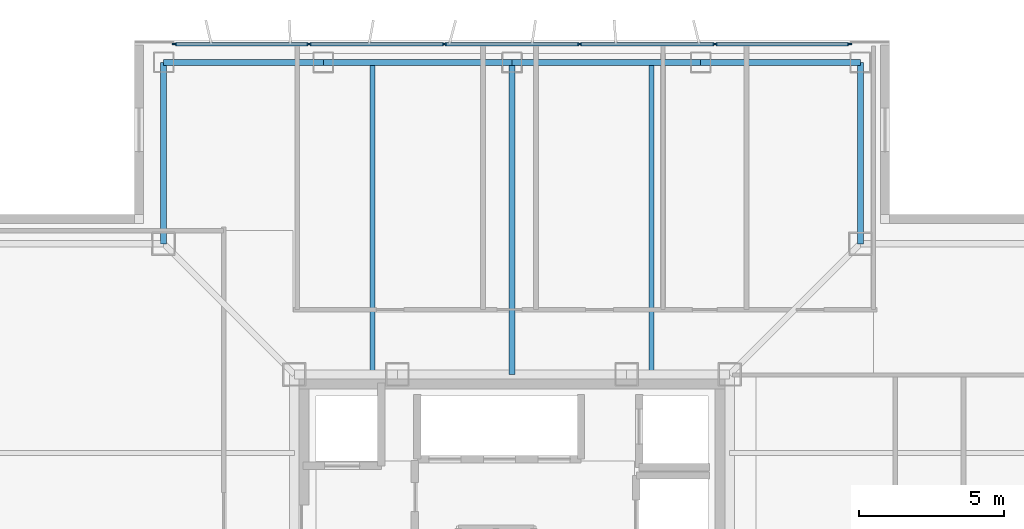
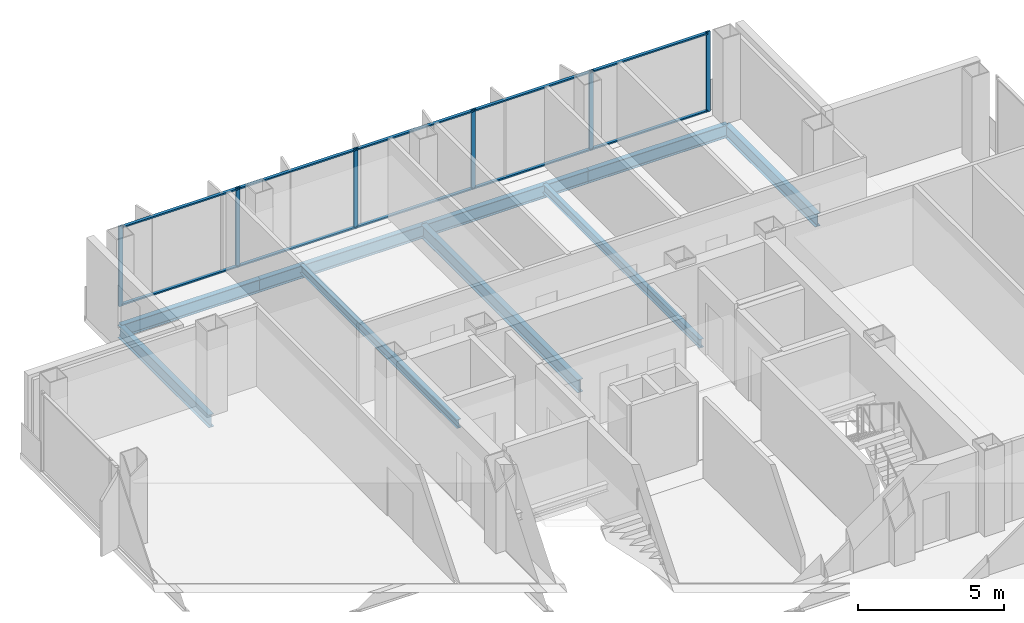
# One storey, part 6 of 15: 16 members, 9 beams, 1 element without a shape of its own.
"""IFC4 building model written with IfcOpenShell, lengths in metres."""

from ifc_helpers import new_model, si_unit, direction, frame, origin, origin_2d, place, context, subcontext, project, spatial, rectangle, i_section, extrude, material, layer, layer_set, material_profile, profile_set, type_object, element, aggregate, save


model = new_model("IFC4")

# Units and contexts
model_context = context("Model", 3, precision=1e-05, world=origin(), true_north=direction((0.0, 1.0)))
body_context = subcontext(model_context, "Body", "Model", "MODEL_VIEW")
ifc_project = project(units=[si_unit("LENGTHUNIT", "METRE"), si_unit("AREAUNIT", "SQUARE_METRE"), si_unit("VOLUMEUNIT", "CUBIC_METRE"), si_unit("PLANEANGLEUNIT", "RADIAN"), si_unit("MASSUNIT", "GRAM", prefix="KILO")], contexts=[model_context])

# Site, building, storey
site_placement = place(None, origin())
site = spatial("IfcSite", under=ifc_project, at=site_placement, CompositionType="ELEMENT")
building_placement = place(site_placement, origin())
building = spatial("IfcBuilding", under=site, at=building_placement, Name="Trevonay Congress Spire", CompositionType="ELEMENT")
storey_placement = place(building_placement, frame((0.0, 0.0, 272.0)))
storey = spatial("IfcBuildingStorey", under=building, at=storey_placement, Name="L71", CompositionType="ELEMENT", Elevation=272.0)

# Beams
ifc_material_1 = material(Name="Steel ASTM A572 Grade 50", Category="steel")
ifc_material_profile_1 = material_profile(ifc_material_1, i_section(OverallWidth=0.2119140625, OverallDepth=0.5439453125, WebThickness=0.01318359375, FlangeThickness=0.021240234375, FilletRadius=0.014892578125, at=origin_2d()), Name="W530x123")
ifc_profile_set_1 = profile_set([ifc_material_profile_1], Name="Steel ASTM A572 Grade 50")
beam_type_1 = type_object("IfcBeamType", Name="BM-GIRD-W530X123", PredefinedType="BEAM", material=ifc_profile_set_1)
beam_1_placement = place(storey_placement, frame((0.0, 7.5, -0.511962890625), z_axis=(0.0, 1.0, 0.0), x_axis=(-1.0, 0.0, 0.0)))
element("IfcBeam", 1, at=beam_1_placement, inside=storey, type_object=beam_type_1, Name="L71 structural beam BM-L71-GC-N", PredefinedType="BEAM", context=body_context, shape_type="SweptSolid", body=[
    extrude(i_section(OverallWidth=0.2119140625, OverallDepth=0.5439453125, WebThickness=0.01318359375, FlangeThickness=0.021240234375, FilletRadius=0.014892578125, at=origin_2d()), origin(), (0.0, 0.0, 1.0), 10.75),
])
ifc_material_profile_2 = material_profile(ifc_material_1, i_section(OverallWidth=0.208984375, OverallDepth=0.532958984375, WebThickness=0.01025390625, FlangeThickness=0.015625, FilletRadius=0.014892578125, at=origin_2d()), Name="W530x92")
ifc_profile_set_2 = profile_set([ifc_material_profile_2], Name="Steel ASTM A572 Grade 50")
beam_type_2 = type_object("IfcBeamType", Name="BM-RING-W530X92", PredefinedType="BEAM", material=ifc_profile_set_2)
beam_2_placement = place(storey_placement, frame((-12.0, 18.25, -0.506591796875), z_axis=(1.0, 0.0, 0.0), x_axis=(0.0, 1.0, 0.0)))
element("IfcBeam", 2, at=beam_2_placement, inside=storey, type_object=beam_type_2, Name="L71 structural beam BM-L71-PN1", PredefinedType="BEAM", context=body_context, shape_type="SweptSolid", body=[
    extrude(i_section(OverallWidth=0.208984375, OverallDepth=0.532958984375, WebThickness=0.01025390625, FlangeThickness=0.015625, FilletRadius=0.014892578125, at=origin_2d()), origin(), (0.0, 0.0, 1.0), 5.5),
])
for number, where, z_axis, x_axis, name in (
    (3, (-6.5, 18.25, -0.506591796875), (1.0, 0.0, 0.0), (0.0, 1.0, 0.0), "L71 structural beam BM-L71-PN2"),
    (4, (0.0, 18.25, -0.506591796875), (1.0, 0.0, 0.0), (0.0, 1.0, 0.0), "L71 structural beam BM-L71-PN3"),
):
    element("IfcBeam", number, at=place(storey_placement, frame(where, z_axis=z_axis, x_axis=x_axis)), inside=storey, type_object=beam_type_2, Name=name, PredefinedType="BEAM", context=body_context, shape_type="SweptSolid", body=[
        extrude(i_section(OverallWidth=0.208984375, OverallDepth=0.532958984375, WebThickness=0.01025390625, FlangeThickness=0.015625, FilletRadius=0.014892578125, at=origin_2d()), origin(), (0.0, 0.0, 1.0), 6.5),
    ])
beam_3_placement = place(storey_placement, frame((6.5, 18.25, -0.506591796875), z_axis=(1.0, 0.0, 0.0), x_axis=(0.0, 1.0, 0.0)))
element("IfcBeam", 5, at=beam_3_placement, inside=storey, type_object=beam_type_2, Name="L71 structural beam BM-L71-PN4", PredefinedType="BEAM", context=body_context, shape_type="SweptSolid", body=[
    extrude(i_section(OverallWidth=0.208984375, OverallDepth=0.532958984375, WebThickness=0.01025390625, FlangeThickness=0.015625, FilletRadius=0.014892578125, at=origin_2d()), origin(), (0.0, 0.0, 1.0), 5.5),
])
for number, where, z_axis, x_axis, name in (
    (6, (12.0, 18.25, -0.506591796875), (0.0, -1.0, 0.0), (1.0, 0.0, 0.0), "L71 structural beam BM-L71-N1NE"),
    (7, (-12.0, 18.25, -0.506591796875), (0.0, -1.0, 0.0), (1.0, 0.0, 0.0), "L71 structural beam BM-L71-N1NW"),
):
    element("IfcBeam", number, at=place(storey_placement, frame(where, z_axis=z_axis, x_axis=x_axis)), inside=storey, type_object=beam_type_2, Name=name, PredefinedType="BEAM", context=body_context, shape_type="SweptSolid", body=[
        extrude(i_section(OverallWidth=0.208984375, OverallDepth=0.532958984375, WebThickness=0.01025390625, FlangeThickness=0.015625, FilletRadius=0.014892578125, at=origin_2d()), origin(), (0.0, 0.0, 1.0), 6.25),
    ])

# Curtain wall, members
ifc_material_2 = material(Name="Pale Anodised Aluminium EN AW-6063-T6", Category="aluminium")
ifc_layer = layer(ifc_material_2, 0.1650390625, Name="Pale Anodised Aluminium EN AW-6063-T6")
ifc_layer_set = layer_set([ifc_layer], Name="Pale Anodised Aluminium EN AW-6063-T6")
curtain_wall_type = type_object("IfcCurtainWallType", Name="CW-SYS05-DIPLOM-PALE-METAL", PredefinedType="NOTDEFINED", material=ifc_layer_set)
curtain_wall_placement = place(storey_placement, origin())
curtain_wall = element("IfcCurtainWall", 8, at=curtain_wall_placement, inside=storey, type_object=curtain_wall_type, Name="L71 N unitised curtain wall", PredefinedType="NOTDEFINED")
ifc_material_profile_3 = material_profile(ifc_material_2, rectangle(XDim=0.06005859375, YDim=0.159912109375, at=origin_2d()), Name="CW-MULLION-160-ALUMINIUM")
ifc_profile_set_3 = profile_set([ifc_material_profile_3], Name="Pale Anodised Aluminium EN AW-6063-T6")
member_type_1 = type_object("IfcMemberType", Name="CW-MULLION-160-ALUMINIUM", PredefinedType="MULLION", material=ifc_profile_set_3)
member_1_placement = place(storey_placement, frame((-11.6201171875, 18.8798828125, 0.0), z_axis=(0.0, 0.0, 1.0), x_axis=(0.0, 1.0, 0.0)))
member_1 = element("IfcMember", 9, at=member_1_placement, type_object=member_type_1, Name="CW05 mullion 1", PredefinedType="MULLION", context=body_context, shape_type="SweptSolid", body=[
    extrude(rectangle(XDim=0.06005859375, YDim=0.159912109375, at=origin_2d()), origin(), (0.0, 0.0, 1.0), 3.360107421875),
])
member_2_placement = place(storey_placement, frame((-6.989990234375, 18.8798828125, 0.0), z_axis=(0.0, 0.0, 1.0), x_axis=(0.0, 1.0, 0.0)))
member_2 = element("IfcMember", 10, at=member_2_placement, type_object=member_type_1, Name="CW05 mullion 2", PredefinedType="MULLION", context=body_context, shape_type="SweptSolid", body=[
    extrude(rectangle(XDim=0.06005859375, YDim=0.159912109375, at=origin_2d()), origin(), (0.0, 0.0, 1.0), 3.360107421875),
])
member_3_placement = place(storey_placement, frame((-2.330078125, 18.8798828125, 0.0), z_axis=(0.0, 0.0, 1.0), x_axis=(0.0, 1.0, 0.0)))
member_3 = element("IfcMember", 11, at=member_3_placement, type_object=member_type_1, Name="CW05 mullion 3", PredefinedType="MULLION", context=body_context, shape_type="SweptSolid", body=[
    extrude(rectangle(XDim=0.06005859375, YDim=0.159912109375, at=origin_2d()), origin(), (0.0, 0.0, 1.0), 3.360107421875),
])
member_4_placement = place(storey_placement, frame((2.330078125, 18.8798828125, 0.0), z_axis=(0.0, 0.0, 1.0), x_axis=(0.0, 1.0, 0.0)))
member_4 = element("IfcMember", 12, at=member_4_placement, type_object=member_type_1, Name="CW05 mullion 4", PredefinedType="MULLION", context=body_context, shape_type="SweptSolid", body=[
    extrude(rectangle(XDim=0.06005859375, YDim=0.159912109375, at=origin_2d()), origin(), (0.0, 0.0, 1.0), 3.360107421875),
])
member_5_placement = place(storey_placement, frame((6.989990234375, 18.8798828125, 0.0), z_axis=(0.0, 0.0, 1.0), x_axis=(0.0, 1.0, 0.0)))
member_5 = element("IfcMember", 13, at=member_5_placement, type_object=member_type_1, Name="CW05 mullion 5", PredefinedType="MULLION", context=body_context, shape_type="SweptSolid", body=[
    extrude(rectangle(XDim=0.06005859375, YDim=0.159912109375, at=origin_2d()), origin(), (0.0, 0.0, 1.0), 3.360107421875),
])
member_6_placement = place(storey_placement, frame((11.6201171875, 18.8798828125, 0.0), z_axis=(0.0, 0.0, 1.0), x_axis=(0.0, 1.0, 0.0)))
member_6 = element("IfcMember", 14, at=member_6_placement, type_object=member_type_1, Name="CW05 mullion 6", PredefinedType="MULLION", context=body_context, shape_type="SweptSolid", body=[
    extrude(rectangle(XDim=0.06005859375, YDim=0.159912109375, at=origin_2d()), origin(), (0.0, 0.0, 1.0), 3.360107421875),
])
ifc_material_profile_4 = material_profile(ifc_material_2, rectangle(XDim=0.1201171875, YDim=0.06005859375, at=origin_2d()), Name="CW-TRANSOM-120-ALUMINIUM")
ifc_profile_set_4 = profile_set([ifc_material_profile_4], Name="Pale Anodised Aluminium EN AW-6063-T6")
member_type_2 = type_object("IfcMemberType", Name="CW-TRANSOM-120-ALUMINIUM", PredefinedType="USERDEFINED", material=ifc_profile_set_4)
member_7_placement = place(storey_placement, frame((-11.590087890625, 18.8798828125, 0.06005859375), z_axis=(1.0, 0.0, 0.0), x_axis=(0.0, 1.0, 0.0)))
member_7 = element("IfcMember", 15, at=member_7_placement, type_object=member_type_2, Name="CW05 transom 1.1", ObjectType="TRANSOM", PredefinedType="USERDEFINED", context=body_context, shape_type="SweptSolid", body=[
    extrude(rectangle(XDim=0.1201171875, YDim=0.06005859375, at=origin_2d()), origin(), (0.0, 0.0, 1.0), 4.570068359375),
])
member_8_placement = place(storey_placement, frame((-11.590087890625, 18.8798828125, 3.300048828125), z_axis=(1.0, 0.0, 0.0), x_axis=(0.0, 1.0, 0.0)))
member_8 = element("IfcMember", 16, at=member_8_placement, type_object=member_type_2, Name="CW05 transom 1.2", ObjectType="TRANSOM", PredefinedType="USERDEFINED", context=body_context, shape_type="SweptSolid", body=[
    extrude(rectangle(XDim=0.1201171875, YDim=0.06005859375, at=origin_2d()), origin(), (0.0, 0.0, 1.0), 4.570068359375),
])
member_9_placement = place(storey_placement, frame((-6.9599609375, 18.8798828125, 0.06005859375), z_axis=(1.0, 0.0, 0.0), x_axis=(0.0, 1.0, 0.0)))
member_9 = element("IfcMember", 17, at=member_9_placement, type_object=member_type_2, Name="CW05 transom 2.1", ObjectType="TRANSOM", PredefinedType="USERDEFINED", context=body_context, shape_type="SweptSolid", body=[
    extrude(rectangle(XDim=0.1201171875, YDim=0.06005859375, at=origin_2d()), origin(), (0.0, 0.0, 1.0), 4.599853515625),
])
member_10_placement = place(storey_placement, frame((-6.9599609375, 18.8798828125, 3.300048828125), z_axis=(1.0, 0.0, 0.0), x_axis=(0.0, 1.0, 0.0)))
member_10 = element("IfcMember", 18, at=member_10_placement, type_object=member_type_2, Name="CW05 transom 2.2", ObjectType="TRANSOM", PredefinedType="USERDEFINED", context=body_context, shape_type="SweptSolid", body=[
    extrude(rectangle(XDim=0.1201171875, YDim=0.06005859375, at=origin_2d()), origin(), (0.0, 0.0, 1.0), 4.599853515625),
])
member_11_placement = place(storey_placement, frame((-2.300048828125, 18.8798828125, 0.06005859375), z_axis=(1.0, 0.0, 0.0), x_axis=(0.0, 1.0, 0.0)))
member_11 = element("IfcMember", 19, at=member_11_placement, type_object=member_type_2, Name="CW05 transom 3.1", ObjectType="TRANSOM", PredefinedType="USERDEFINED", context=body_context, shape_type="SweptSolid", body=[
    extrude(rectangle(XDim=0.1201171875, YDim=0.06005859375, at=origin_2d()), origin(), (0.0, 0.0, 1.0), 4.60009765625),
])
member_12_placement = place(storey_placement, frame((-2.300048828125, 18.8798828125, 3.300048828125), z_axis=(1.0, 0.0, 0.0), x_axis=(0.0, 1.0, 0.0)))
member_12 = element("IfcMember", 20, at=member_12_placement, type_object=member_type_2, Name="CW05 transom 3.2", ObjectType="TRANSOM", PredefinedType="USERDEFINED", context=body_context, shape_type="SweptSolid", body=[
    extrude(rectangle(XDim=0.1201171875, YDim=0.06005859375, at=origin_2d()), origin(), (0.0, 0.0, 1.0), 4.60009765625),
])
member_13_placement = place(storey_placement, frame((2.360107421875, 18.8798828125, 0.06005859375), z_axis=(1.0, 0.0, 0.0), x_axis=(0.0, 1.0, 0.0)))
member_13 = element("IfcMember", 21, at=member_13_placement, type_object=member_type_2, Name="CW05 transom 4.1", ObjectType="TRANSOM", PredefinedType="USERDEFINED", context=body_context, shape_type="SweptSolid", body=[
    extrude(rectangle(XDim=0.1201171875, YDim=0.06005859375, at=origin_2d()), origin(), (0.0, 0.0, 1.0), 4.599853515625),
])
member_14_placement = place(storey_placement, frame((2.360107421875, 18.8798828125, 3.300048828125), z_axis=(1.0, 0.0, 0.0), x_axis=(0.0, 1.0, 0.0)))
member_14 = element("IfcMember", 22, at=member_14_placement, type_object=member_type_2, Name="CW05 transom 4.2", ObjectType="TRANSOM", PredefinedType="USERDEFINED", context=body_context, shape_type="SweptSolid", body=[
    extrude(rectangle(XDim=0.1201171875, YDim=0.06005859375, at=origin_2d()), origin(), (0.0, 0.0, 1.0), 4.599853515625),
])
member_15_placement = place(storey_placement, frame((7.02001953125, 18.8798828125, 0.06005859375), z_axis=(1.0, 0.0, 0.0), x_axis=(0.0, 1.0, 0.0)))
member_15 = element("IfcMember", 23, at=member_15_placement, type_object=member_type_2, Name="CW05 transom 5.1", ObjectType="TRANSOM", PredefinedType="USERDEFINED", context=body_context, shape_type="SweptSolid", body=[
    extrude(rectangle(XDim=0.1201171875, YDim=0.06005859375, at=origin_2d()), origin(), (0.0, 0.0, 1.0), 4.570068359375),
])
member_16_placement = place(storey_placement, frame((7.02001953125, 18.8798828125, 3.300048828125), z_axis=(1.0, 0.0, 0.0), x_axis=(0.0, 1.0, 0.0)))
member_16 = element("IfcMember", 24, at=member_16_placement, type_object=member_type_2, Name="CW05 transom 5.2", ObjectType="TRANSOM", PredefinedType="USERDEFINED", context=body_context, shape_type="SweptSolid", body=[
    extrude(rectangle(XDim=0.1201171875, YDim=0.06005859375, at=origin_2d()), origin(), (0.0, 0.0, 1.0), 4.570068359375),
])
aggregate(curtain_wall, [member_1, member_2, member_3, member_4, member_5, member_6, member_7, member_8, member_9, member_10, member_11, member_12, member_13, member_14, member_15, member_16])

# Beams
ifc_material_profile_5 = material_profile(ifc_material_1, i_section(OverallWidth=0.172119140625, OverallDepth=0.35791015625, WebThickness=0.0078125, FlangeThickness=0.01318359375, FilletRadius=0.011962890625, at=origin_2d()), Name="W360x57.8")
ifc_profile_set_5 = profile_set([ifc_material_profile_5], Name="Steel ASTM A572 Grade 50")
beam_type_3 = type_object("IfcBeamType", Name="JS-COMP-W360X57", PredefinedType="JOIST", material=ifc_profile_set_5)
for number, where, z_axis, x_axis, name in (
    (25, (-4.800048828125, 7.5, -0.4189453125), (0.0, 1.0, 0.0), (-1.0, 0.0, 0.0), "L71 structural beam JS-L71-NS-N1"),
    (26, (4.800048828125, 7.5, -0.4189453125), (0.0, 1.0, 0.0), (-1.0, 0.0, 0.0), "L71 structural beam JS-L71-NS-N3"),
):
    element("IfcBeam", number, at=place(storey_placement, frame(where, z_axis=z_axis, x_axis=x_axis)), inside=storey, type_object=beam_type_3, Name=name, PredefinedType="JOIST", context=body_context, shape_type="SweptSolid", body=[
        extrude(i_section(OverallWidth=0.172119140625, OverallDepth=0.35791015625, WebThickness=0.0078125, FlangeThickness=0.01318359375, FilletRadius=0.011962890625, at=origin_2d()), origin(), (0.0, 0.0, 1.0), 10.75),
    ])

save(model, "model.ifc")
